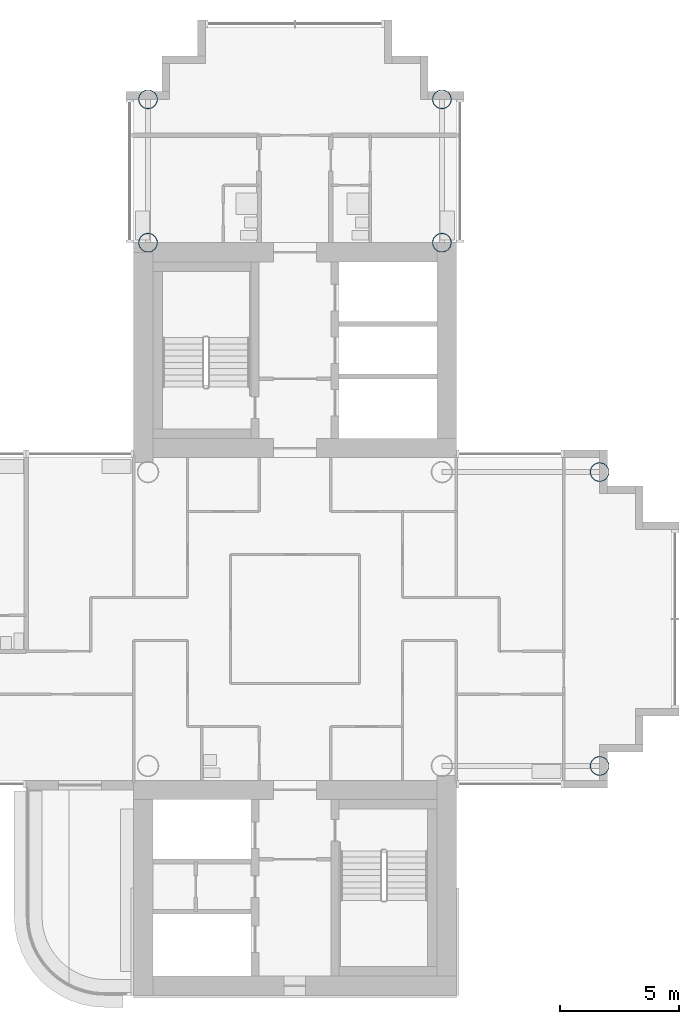
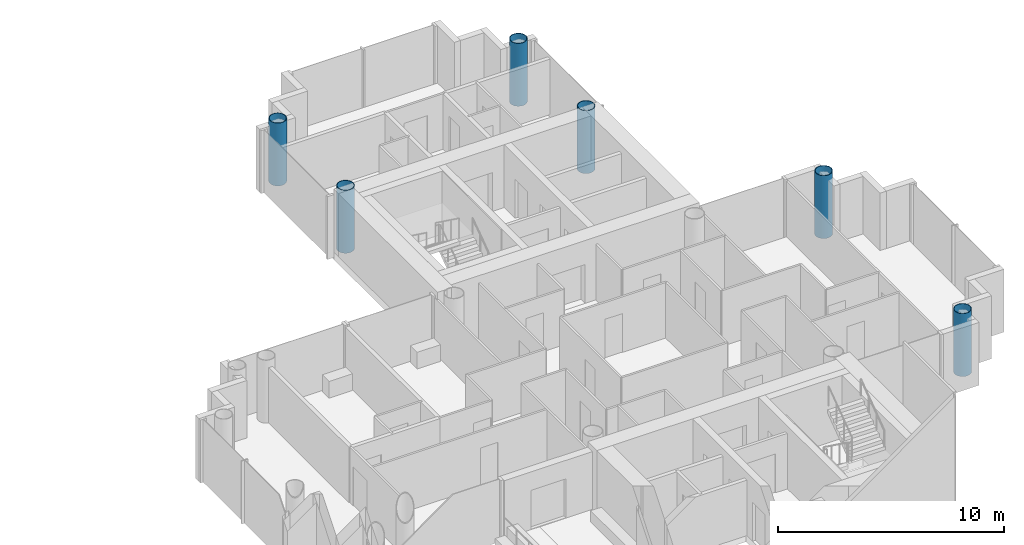
# One storey, part 2 of 19: 6 columns.
"""IFC4 building model written with IfcOpenShell, lengths in metres."""

from ifc_helpers import new_model, si_unit, direction, frame, origin, origin_2d, place, context, subcontext, project, spatial, hollow_circle, extrude, material, material_profile, profile_set, type_object, element, save


model = new_model("IFC4")

# Units and contexts
model_context = context("Model", 3, precision=1e-05, world=origin(), true_north=direction((0.0, 1.0)))
body_context = subcontext(model_context, "Body", "Model", "MODEL_VIEW")
ifc_project = project(units=[si_unit("LENGTHUNIT", "METRE"), si_unit("AREAUNIT", "SQUARE_METRE"), si_unit("VOLUMEUNIT", "CUBIC_METRE"), si_unit("PLANEANGLEUNIT", "RADIAN"), si_unit("MASSUNIT", "GRAM", prefix="KILO")], contexts=[model_context])

# Site, building, storey
site_placement = place(None, origin())
site = spatial("IfcSite", under=ifc_project, at=site_placement, CompositionType="ELEMENT")
building_placement = place(site_placement, origin())
building = spatial("IfcBuilding", under=site, at=building_placement, Name="Ipe Terrace Towers", CompositionType="ELEMENT")
storey_placement = place(building_placement, frame((0.0, 0.0, 174.5)))
storey = spatial("IfcBuildingStorey", under=building, at=storey_placement, Name="L48", CompositionType="ELEMENT", Elevation=174.5)

# Columns
ifc_material = material(Name="Steel S355 tube with Concrete C60/75 fill", Category="concrete")
ifc_material_profile = material_profile(ifc_material, hollow_circle(Radius=0.39990234375, WallThickness=0.028076171875, at=origin_2d()), Name="CHS-800x28")
ifc_profile_set = profile_set([ifc_material_profile], Name="Steel S355 tube with Concrete C60/75 fill")
column_type = type_object("IfcColumnType", Name="CH09 COLUMN CHS-800x28", PredefinedType="COLUMN", material=ifc_profile_set)
for number, where, z_axis, x_axis, name in (
    (1, (42.14990234375, 15.75, 0.0), (0.0, 0.0, 1.0), (1.0, 0.0, 0.0), "Column T2-C-A01"),
    (2, (29.85009765625, 15.75, 0.0), (0.0, 0.0, 1.0), (1.0, 0.0, 0.0), "Column T2-C-A02"),
    (3, (42.14990234375, 21.75, 0.0), (0.0, 0.0, 1.0), (1.0, 0.0, 0.0), "Column T2-C-A03"),
    (4, (29.85009765625, 21.75, 0.0), (0.0, 0.0, 1.0), (1.0, 0.0, 0.0), "Column T2-C-A04"),
    (5, (48.75, -6.14990234375, 0.0), (0.0, 0.0, 1.0), (1.0, 0.0, 0.0), "Column T2-C-D01"),
    (6, (48.75, 6.14990234375, 0.0), (0.0, 0.0, 1.0), (1.0, 0.0, 0.0), "Column T2-C-D02"),
):
    element("IfcColumn", number, at=place(storey_placement, frame(where, z_axis=z_axis, x_axis=x_axis)), inside=storey, type_object=column_type, Name=name, PredefinedType="COLUMN", context=body_context, shape_type="SweptSolid", body=[
        extrude(hollow_circle(Radius=0.39990234375, WallThickness=0.028076171875, at=origin_2d()), origin(), (0.0, 0.0, 1.0), 3.39990234375),
    ])

save(model, "model.ifc")
